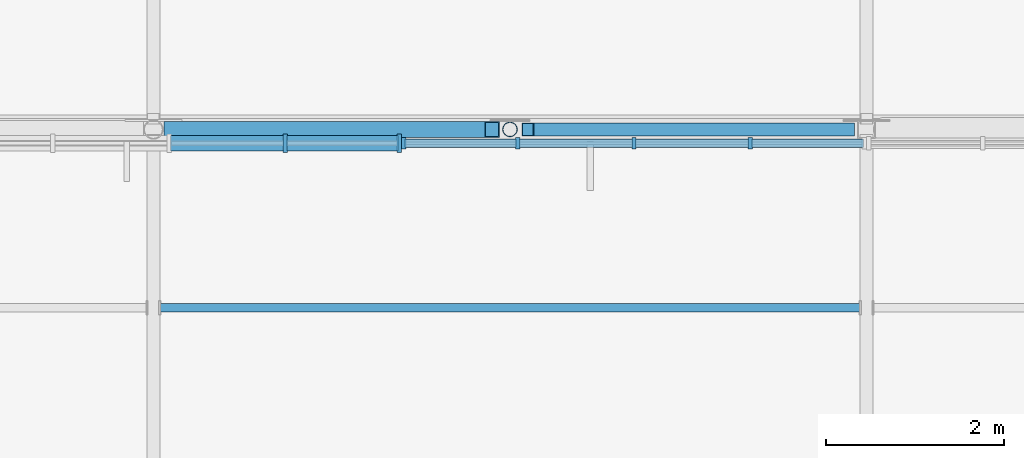
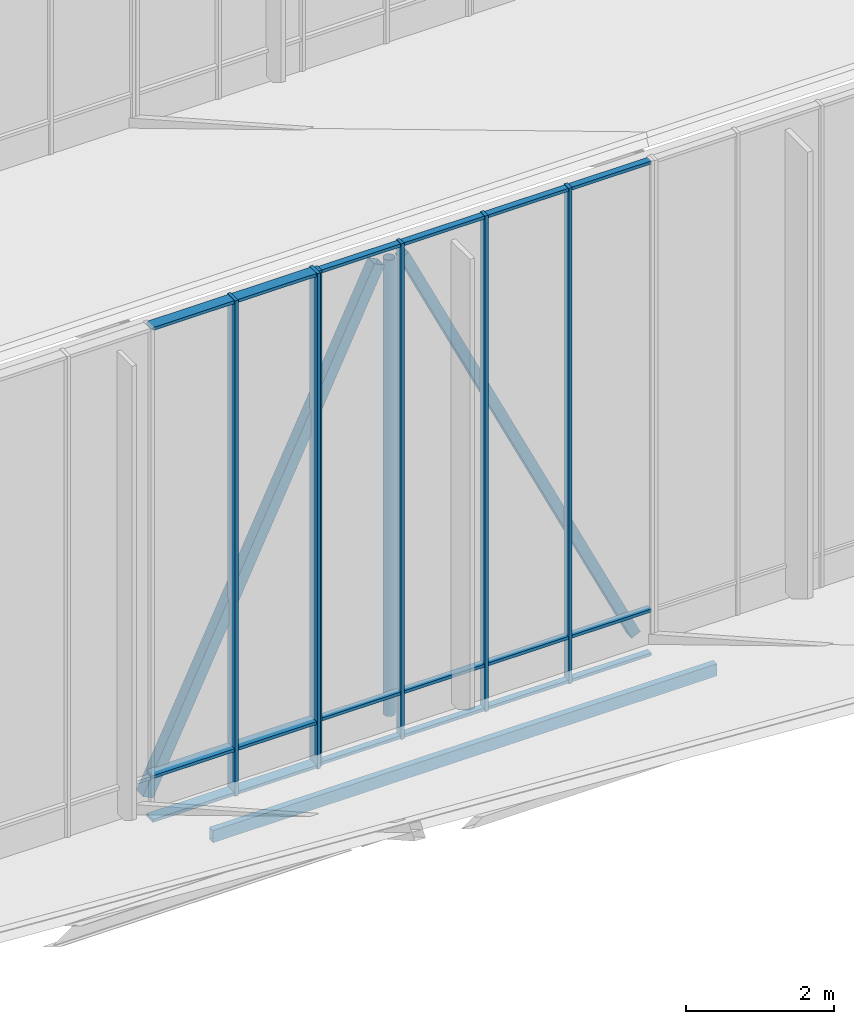
# One storey, part 65 of 155: 28 members, 2 elements without a shape of their own.
"""IFC4 building model written with IfcOpenShell, lengths in metres."""

from ifc_helpers import new_model, si_unit, direction, frame, origin, origin_2d, place, context, subcontext, project, spatial, rectangle, hollow_rectangle, hollow_circle, extrude, material, material_profile, profile_set, type_object, element, aggregate, save


model = new_model("IFC4")

# Units and contexts
model_context = context("Model", 3, precision=1e-05, world=origin(), true_north=direction((0.0, 1.0)))
body_context = subcontext(model_context, "Body", "Model", "MODEL_VIEW")
ifc_project = project(units=[si_unit("LENGTHUNIT", "METRE"), si_unit("AREAUNIT", "SQUARE_METRE"), si_unit("VOLUMEUNIT", "CUBIC_METRE"), si_unit("PLANEANGLEUNIT", "RADIAN"), si_unit("MASSUNIT", "GRAM", prefix="KILO")], contexts=[model_context])

# Site, building, storey
site_placement = place(None, origin())
site = spatial("IfcSite", under=ifc_project, at=site_placement, CompositionType="ELEMENT")
building_placement = place(site_placement, origin())
building = spatial("IfcBuilding", under=site, at=building_placement, Name="Larkveld Mobility Hub", CompositionType="ELEMENT")
storey_placement = place(building_placement, frame((0.0, 0.0, 8.39990234375)))
storey = spatial("IfcBuildingStorey", under=building, at=storey_placement, Name="L02", CompositionType="ELEMENT", Elevation=8.39990234375)

# Curtain wall, members
ifc_material_1 = material(Name="Anodised aluminium 6063-T6", Category="aluminium")
curtain_wall_type_1 = type_object("IfcCurtainWallType", Name="CW-SYS-03", PredefinedType="NOTDEFINED", material=ifc_material_1)
curtain_wall_1_placement = place(storey_placement, origin())
curtain_wall_1 = element("IfcCurtainWall", 1, at=curtain_wall_1_placement, inside=storey, type_object=curtain_wall_type_1, Name="Sawtooth South-Light Clerestory B6 CW-039", PredefinedType="NOTDEFINED")
ifc_material_profile_1 = material_profile(ifc_material_1, rectangle(XDim=0.050048828125, YDim=0.2099609375, at=origin_2d()), Name="ALU MULL 50x210")
ifc_profile_set_1 = profile_set([ifc_material_profile_1], Name="Anodised aluminium 6063-T6")
member_type_1 = type_object("IfcMemberType", Name="CW-MUL-03", PredefinedType="MULLION", material=ifc_profile_set_1)
member_1_placement = place(storey_placement, frame((161.47998046875, 97.844970703125, -0.001953125), z_axis=(0.0, 0.0, 1.0), x_axis=(1.0, 0.0, 0.0)))
member_1 = element("IfcMember", 2, at=member_1_placement, type_object=member_type_1, Name="CW03 mullion 4", PredefinedType="MULLION", context=body_context, shape_type="SweptSolid", body=[
    extrude(rectangle(XDim=0.050048828125, YDim=0.2099609375, at=origin_2d()), origin(), (0.0, 0.0, 1.0), 8.152099609375),
])
member_2_placement = place(storey_placement, frame((162.759033203125, 97.844970703125, -0.001953125), z_axis=(0.0, 0.0, 1.0), x_axis=(1.0, 0.0, 0.0)))
member_2 = element("IfcMember", 3, at=member_2_placement, type_object=member_type_1, Name="CW03 mullion 5", PredefinedType="MULLION", context=body_context, shape_type="SweptSolid", body=[
    extrude(rectangle(XDim=0.050048828125, YDim=0.2099609375, at=origin_2d()), origin(), (0.0, 0.0, 1.0), 8.152099609375),
])

curtain_wall_type_2 = type_object("IfcCurtainWallType", Name="CW-SYS-04", PredefinedType="NOTDEFINED", material=ifc_material_1)
curtain_wall_2_placement = place(storey_placement, origin())
curtain_wall_2 = element("IfcCurtainWall", 4, at=curtain_wall_2_placement, inside=storey, type_object=curtain_wall_type_2, Name="Sawtooth South-Light Clerestory B6 CW-040", PredefinedType="NOTDEFINED")
ifc_material_profile_2 = material_profile(ifc_material_1, rectangle(XDim=0.050048828125, YDim=0.1298828125, at=origin_2d()), Name="ALU MULL 50x130")
ifc_profile_set_2 = profile_set([ifc_material_profile_2], Name="Anodised aluminium 6063-T6")
member_type_2 = type_object("IfcMemberType", Name="CW-MUL-04", PredefinedType="MULLION", material=ifc_profile_set_2)
member_3_placement = place(storey_placement, frame((162.80810546875, 97.844970703125, -0.001953125), z_axis=(0.0, 0.0, 1.0), x_axis=(1.0, 0.0, 0.0)))
member_3 = element("IfcMember", 5, at=member_3_placement, type_object=member_type_2, Name="CW04 mullion 1", PredefinedType="MULLION", context=body_context, shape_type="SweptSolid", body=[
    extrude(rectangle(XDim=0.050048828125, YDim=0.1298828125, at=origin_2d()), origin(), (0.0, 0.0, 1.0), 8.152099609375),
])
member_4_placement = place(storey_placement, frame((164.0869140625, 97.844970703125, -0.001953125), z_axis=(0.0, 0.0, 1.0), x_axis=(1.0, 0.0, 0.0)))
member_4 = element("IfcMember", 6, at=member_4_placement, type_object=member_type_2, Name="CW04 mullion 2", PredefinedType="MULLION", context=body_context, shape_type="SweptSolid", body=[
    extrude(rectangle(XDim=0.050048828125, YDim=0.1298828125, at=origin_2d()), origin(), (0.0, 0.0, 1.0), 8.152099609375),
])
member_5_placement = place(storey_placement, frame((165.39111328125, 97.844970703125, -0.001953125), z_axis=(0.0, 0.0, 1.0), x_axis=(1.0, 0.0, 0.0)))
member_5 = element("IfcMember", 7, at=member_5_placement, type_object=member_type_2, Name="CW04 mullion 3", PredefinedType="MULLION", context=body_context, shape_type="SweptSolid", body=[
    extrude(rectangle(XDim=0.050048828125, YDim=0.1298828125, at=origin_2d()), origin(), (0.0, 0.0, 1.0), 8.152099609375),
])
member_6_placement = place(storey_placement, frame((166.695068359375, 97.844970703125, -0.001953125), z_axis=(0.0, 0.0, 1.0), x_axis=(1.0, 0.0, 0.0)))
member_6 = element("IfcMember", 8, at=member_6_placement, type_object=member_type_2, Name="CW04 mullion 4", PredefinedType="MULLION", context=body_context, shape_type="SweptSolid", body=[
    extrude(rectangle(XDim=0.050048828125, YDim=0.1298828125, at=origin_2d()), origin(), (0.0, 0.0, 1.0), 8.152099609375),
])

# Member
ifc_material_profile_3 = material_profile(ifc_material_1, rectangle(XDim=0.169921875, YDim=0.050048828125, at=origin_2d()), Name="ALU TRAN 50x170")
ifc_profile_set_3 = profile_set([ifc_material_profile_3], Name="Anodised aluminium 6063-T6")
member_type_3 = type_object("IfcMemberType", Name="CW-TRN-03", PredefinedType="USERDEFINED", material=ifc_profile_set_3)
member_7_placement = place(storey_placement, frame((160.18994140625, 97.844970703125, 0.030029296875), z_axis=(1.0, 0.0, 0.0), x_axis=(0.0, 1.0, 0.0)))
member_7 = element("IfcMember", 9, at=member_7_placement, type_object=member_type_3, Name="CW03 transom 3.1", ObjectType="TRANSOM", PredefinedType="USERDEFINED", context=body_context, shape_type="SweptSolid", body=[
    extrude(rectangle(XDim=0.169921875, YDim=0.050048828125, at=origin_2d()), origin(), (0.0, 0.0, 1.0), 1.275146484375),
])

member_8_placement = place(storey_placement, frame((160.18994140625, 97.844970703125, 0.75), z_axis=(1.0, 0.0, 0.0), x_axis=(0.0, 1.0, 0.0)))
member_8 = element("IfcMember", 10, at=member_8_placement, type_object=member_type_3, Name="CW03 transom 3.2", ObjectType="TRANSOM", PredefinedType="USERDEFINED", context=body_context, shape_type="SweptSolid", body=[
    extrude(rectangle(XDim=0.169921875, YDim=0.050048828125, at=origin_2d()), origin(), (0.0, 0.0, 1.0), 1.275146484375),
])

member_9_placement = place(storey_placement, frame((160.18994140625, 97.844970703125, 8.1181640625), z_axis=(1.0, 0.0, 0.0), x_axis=(0.0, 1.0, 0.0)))
member_9 = element("IfcMember", 11, at=member_9_placement, type_object=member_type_3, Name="CW03 transom 3.3", ObjectType="TRANSOM", PredefinedType="USERDEFINED", context=body_context, shape_type="SweptSolid", body=[
    extrude(rectangle(XDim=0.169921875, YDim=0.050048828125, at=origin_2d()), origin(), (0.0, 0.0, 1.0), 1.275146484375),
])

member_10_placement = place(storey_placement, frame((161.4951171875, 97.844970703125, 0.030029296875), z_axis=(1.0, 0.0, 0.0), x_axis=(0.0, 1.0, 0.0)))
member_10 = element("IfcMember", 12, at=member_10_placement, type_object=member_type_3, Name="CW03 transom 4.1", ObjectType="TRANSOM", PredefinedType="USERDEFINED", context=body_context, shape_type="SweptSolid", body=[
    extrude(rectangle(XDim=0.169921875, YDim=0.050048828125, at=origin_2d()), origin(), (0.0, 0.0, 1.0), 1.25390625),
])

member_11_placement = place(storey_placement, frame((161.4951171875, 97.844970703125, 0.75), z_axis=(1.0, 0.0, 0.0), x_axis=(0.0, 1.0, 0.0)))
member_11 = element("IfcMember", 13, at=member_11_placement, type_object=member_type_3, Name="CW03 transom 4.2", ObjectType="TRANSOM", PredefinedType="USERDEFINED", context=body_context, shape_type="SweptSolid", body=[
    extrude(rectangle(XDim=0.169921875, YDim=0.050048828125, at=origin_2d()), origin(), (0.0, 0.0, 1.0), 1.25390625),
])

member_12_placement = place(storey_placement, frame((161.4951171875, 97.844970703125, 8.1181640625), z_axis=(1.0, 0.0, 0.0), x_axis=(0.0, 1.0, 0.0)))
member_12 = element("IfcMember", 14, at=member_12_placement, type_object=member_type_3, Name="CW03 transom 4.3", ObjectType="TRANSOM", PredefinedType="USERDEFINED", context=body_context, shape_type="SweptSolid", body=[
    extrude(rectangle(XDim=0.169921875, YDim=0.050048828125, at=origin_2d()), origin(), (0.0, 0.0, 1.0), 1.25390625),
])

aggregate(curtain_wall_1, [member_1, member_2, member_7, member_8, member_9, member_10, member_11, member_12])

ifc_material_profile_4 = material_profile(ifc_material_1, rectangle(XDim=0.10009765625, YDim=0.050048828125, at=origin_2d()), Name="ALU TRAN 50x100")
ifc_profile_set_4 = profile_set([ifc_material_profile_4], Name="Anodised aluminium 6063-T6")
member_type_4 = type_object("IfcMemberType", Name="CW-TRN-04", PredefinedType="USERDEFINED", material=ifc_profile_set_4)
member_13_placement = place(storey_placement, frame((162.818115234375, 97.844970703125, 0.030029296875), z_axis=(1.0, 0.0, 0.0), x_axis=(0.0, 1.0, 0.0)))
member_13 = element("IfcMember", 15, at=member_13_placement, type_object=member_type_4, Name="CW04 transom 1.1", ObjectType="TRANSOM", PredefinedType="USERDEFINED", context=body_context, shape_type="SweptSolid", body=[
    extrude(rectangle(XDim=0.10009765625, YDim=0.050048828125, at=origin_2d()), origin(), (0.0, 0.0, 1.0), 1.25390625),
])

member_14_placement = place(storey_placement, frame((162.818115234375, 97.844970703125, 0.75), z_axis=(1.0, 0.0, 0.0), x_axis=(0.0, 1.0, 0.0)))
member_14 = element("IfcMember", 16, at=member_14_placement, type_object=member_type_4, Name="CW04 transom 1.2", ObjectType="TRANSOM", PredefinedType="USERDEFINED", context=body_context, shape_type="SweptSolid", body=[
    extrude(rectangle(XDim=0.10009765625, YDim=0.050048828125, at=origin_2d()), origin(), (0.0, 0.0, 1.0), 1.25390625),
])

member_15_placement = place(storey_placement, frame((162.818115234375, 97.844970703125, 8.1181640625), z_axis=(1.0, 0.0, 0.0), x_axis=(0.0, 1.0, 0.0)))
member_15 = element("IfcMember", 17, at=member_15_placement, type_object=member_type_4, Name="CW04 transom 1.3", ObjectType="TRANSOM", PredefinedType="USERDEFINED", context=body_context, shape_type="SweptSolid", body=[
    extrude(rectangle(XDim=0.10009765625, YDim=0.050048828125, at=origin_2d()), origin(), (0.0, 0.0, 1.0), 1.25390625),
])

member_16_placement = place(storey_placement, frame((164.10205078125, 97.844970703125, 0.030029296875), z_axis=(1.0, 0.0, 0.0), x_axis=(0.0, 1.0, 0.0)))
member_16 = element("IfcMember", 18, at=member_16_placement, type_object=member_type_4, Name="CW04 transom 2.1", ObjectType="TRANSOM", PredefinedType="USERDEFINED", context=body_context, shape_type="SweptSolid", body=[
    extrude(rectangle(XDim=0.10009765625, YDim=0.050048828125, at=origin_2d()), origin(), (0.0, 0.0, 1.0), 1.27392578125),
])

member_17_placement = place(storey_placement, frame((164.10205078125, 97.844970703125, 0.75), z_axis=(1.0, 0.0, 0.0), x_axis=(0.0, 1.0, 0.0)))
member_17 = element("IfcMember", 19, at=member_17_placement, type_object=member_type_4, Name="CW04 transom 2.2", ObjectType="TRANSOM", PredefinedType="USERDEFINED", context=body_context, shape_type="SweptSolid", body=[
    extrude(rectangle(XDim=0.10009765625, YDim=0.050048828125, at=origin_2d()), origin(), (0.0, 0.0, 1.0), 1.27392578125),
])

member_18_placement = place(storey_placement, frame((164.10205078125, 97.844970703125, 8.1181640625), z_axis=(1.0, 0.0, 0.0), x_axis=(0.0, 1.0, 0.0)))
member_18 = element("IfcMember", 20, at=member_18_placement, type_object=member_type_4, Name="CW04 transom 2.3", ObjectType="TRANSOM", PredefinedType="USERDEFINED", context=body_context, shape_type="SweptSolid", body=[
    extrude(rectangle(XDim=0.10009765625, YDim=0.050048828125, at=origin_2d()), origin(), (0.0, 0.0, 1.0), 1.27392578125),
])

member_19_placement = place(storey_placement, frame((165.406005859375, 97.844970703125, 0.030029296875), z_axis=(1.0, 0.0, 0.0), x_axis=(0.0, 1.0, 0.0)))
member_19 = element("IfcMember", 21, at=member_19_placement, type_object=member_type_4, Name="CW04 transom 3.1", ObjectType="TRANSOM", PredefinedType="USERDEFINED", context=body_context, shape_type="SweptSolid", body=[
    extrude(rectangle(XDim=0.10009765625, YDim=0.050048828125, at=origin_2d()), origin(), (0.0, 0.0, 1.0), 1.27392578125),
])

member_20_placement = place(storey_placement, frame((165.406005859375, 97.844970703125, 0.75), z_axis=(1.0, 0.0, 0.0), x_axis=(0.0, 1.0, 0.0)))
member_20 = element("IfcMember", 22, at=member_20_placement, type_object=member_type_4, Name="CW04 transom 3.2", ObjectType="TRANSOM", PredefinedType="USERDEFINED", context=body_context, shape_type="SweptSolid", body=[
    extrude(rectangle(XDim=0.10009765625, YDim=0.050048828125, at=origin_2d()), origin(), (0.0, 0.0, 1.0), 1.27392578125),
])

member_21_placement = place(storey_placement, frame((165.406005859375, 97.844970703125, 8.1181640625), z_axis=(1.0, 0.0, 0.0), x_axis=(0.0, 1.0, 0.0)))
member_21 = element("IfcMember", 23, at=member_21_placement, type_object=member_type_4, Name="CW04 transom 3.3", ObjectType="TRANSOM", PredefinedType="USERDEFINED", context=body_context, shape_type="SweptSolid", body=[
    extrude(rectangle(XDim=0.10009765625, YDim=0.050048828125, at=origin_2d()), origin(), (0.0, 0.0, 1.0), 1.27392578125),
])

member_22_placement = place(storey_placement, frame((166.7099609375, 97.844970703125, 0.030029296875), z_axis=(1.0, 0.0, 0.0), x_axis=(0.0, 1.0, 0.0)))
member_22 = element("IfcMember", 24, at=member_22_placement, type_object=member_type_4, Name="CW04 transom 4.1", ObjectType="TRANSOM", PredefinedType="USERDEFINED", context=body_context, shape_type="SweptSolid", body=[
    extrude(rectangle(XDim=0.10009765625, YDim=0.050048828125, at=origin_2d()), origin(), (0.0, 0.0, 1.0), 1.255126953125),
])

member_23_placement = place(storey_placement, frame((166.7099609375, 97.844970703125, 0.75), z_axis=(1.0, 0.0, 0.0), x_axis=(0.0, 1.0, 0.0)))
member_23 = element("IfcMember", 25, at=member_23_placement, type_object=member_type_4, Name="CW04 transom 4.2", ObjectType="TRANSOM", PredefinedType="USERDEFINED", context=body_context, shape_type="SweptSolid", body=[
    extrude(rectangle(XDim=0.10009765625, YDim=0.050048828125, at=origin_2d()), origin(), (0.0, 0.0, 1.0), 1.255126953125),
])

member_24_placement = place(storey_placement, frame((166.7099609375, 97.844970703125, 8.1181640625), z_axis=(1.0, 0.0, 0.0), x_axis=(0.0, 1.0, 0.0)))
member_24 = element("IfcMember", 26, at=member_24_placement, type_object=member_type_4, Name="CW04 transom 4.3", ObjectType="TRANSOM", PredefinedType="USERDEFINED", context=body_context, shape_type="SweptSolid", body=[
    extrude(rectangle(XDim=0.10009765625, YDim=0.050048828125, at=origin_2d()), origin(), (0.0, 0.0, 1.0), 1.255126953125),
])

aggregate(curtain_wall_2, [member_3, member_4, member_5, member_6, member_13, member_14, member_15, member_16, member_17, member_18, member_19, member_20, member_21, member_22, member_23, member_24])

# Members
ifc_material_2 = material(Name="Steel S355JR", Category="steel")
ifc_material_profile_5 = material_profile(ifc_material_2, hollow_circle(Radius=0.084228515625, WallThickness=0.008056640625, at=origin_2d()), Name="CHS 168.3x8")
ifc_profile_set_5 = profile_set([ifc_material_profile_5], Name="Steel S355JR")
member_type_5 = type_object("IfcMemberType", Name="MB-BR-CHS168", PredefinedType="BRACE", material=ifc_profile_set_5)
member_25_placement = place(storey_placement, frame((164.0, 98.0, 0.32421875), z_axis=(0.0, 0.0, 1.0), x_axis=(1.0, 0.0, 0.0)))
element("IfcMember", 27, at=member_25_placement, inside=storey, type_object=member_type_5, Name="ROOF TRUSS T6 Vertical Post 3", PredefinedType="BRACE", context=body_context, shape_type="SweptSolid", body=[
    extrude(hollow_circle(Radius=0.084228515625, WallThickness=0.008056640625, at=origin_2d()), origin(), (0.0, 0.0, 1.0), 7.5009765625),
])
ifc_material_profile_6 = material_profile(ifc_material_2, hollow_rectangle(XDim=0.14990234375, YDim=0.14990234375, WallThickness=0.008056640625, at=origin_2d()), Name="SHS 150x150x8")
ifc_profile_set_6 = profile_set([ifc_material_profile_6], Name="Steel S355JR")
member_type_6 = type_object("IfcMemberType", Name="MB-BR-SHS150", PredefinedType="BRACE", material=ifc_profile_set_6)
member_26_placement = place(storey_placement, frame((164.199951171875, 98.0, 7.8251953125), z_axis=(0.432694817509, 0.0, -0.901540456608), x_axis=(0.0, 1.0, 0.0)))
element("IfcMember", 28, at=member_26_placement, inside=storey, type_object=member_type_6, Name="ROOF TRUSS T6 Web Diagonal 4", PredefinedType="BRACE", context=body_context, shape_type="SweptSolid", body=[
    extrude(hollow_rectangle(XDim=0.14990234375, YDim=0.14990234375, WallThickness=0.008056640625, at=origin_2d()), origin(), (0.0, 0.0, 1.0), 8.320068359375),
])
ifc_material_profile_7 = material_profile(ifc_material_2, hollow_rectangle(XDim=0.179931640625, YDim=0.179931640625, WallThickness=0.010009765625, at=origin_2d()), Name="SHS 180x180x10")
ifc_profile_set_7 = profile_set([ifc_material_profile_7], Name="Steel S355JR")
member_type_7 = type_object("IfcMemberType", Name="MB-BR-SHS180", PredefinedType="BRACE", material=ifc_profile_set_7)
member_27_placement = place(storey_placement, frame((160.199951171875, 98.0, 0.32421875), z_axis=(0.432694817509, 0.0, 0.901540456608), x_axis=(0.0, 1.0, 0.0)))
element("IfcMember", 29, at=member_27_placement, inside=storey, type_object=member_type_7, Name="ROOF TRUSS T6 Web Diagonal 3", PredefinedType="BRACE", context=body_context, shape_type="SweptSolid", body=[
    extrude(hollow_rectangle(XDim=0.179931640625, YDim=0.179931640625, WallThickness=0.010009765625, at=origin_2d()), origin(), (0.0, 0.0, 1.0), 8.320068359375),
])
ifc_material_profile_8 = material_profile(ifc_material_2, hollow_rectangle(XDim=0.10009765625, YDim=0.199951171875, WallThickness=0.008056640625, at=origin_2d()), Name="RHS 200x100x8")
ifc_profile_set_8 = profile_set([ifc_material_profile_8], Name="Steel S355JR")
member_type_8 = type_object("IfcMemberType", Name="MB-PR-RHS200", PredefinedType="PURLIN", material=ifc_profile_set_8)
member_28_placement = place(storey_placement, frame((160.080078125, 96.0, 0.906982421875), z_axis=(1.0, 0.0, 0.0), x_axis=(0.0, 1.0, 0.0)))
element("IfcMember", 30, at=member_28_placement, inside=storey, type_object=member_type_8, Name="Sawtooth Roof Purlin B5-6.2", PredefinedType="PURLIN", context=body_context, shape_type="SweptSolid", body=[
    extrude(hollow_rectangle(XDim=0.10009765625, YDim=0.199951171875, WallThickness=0.008056640625, at=origin_2d()), origin(), (0.0, 0.0, 1.0), 7.83984375),
])

save(model, "model.ifc")
